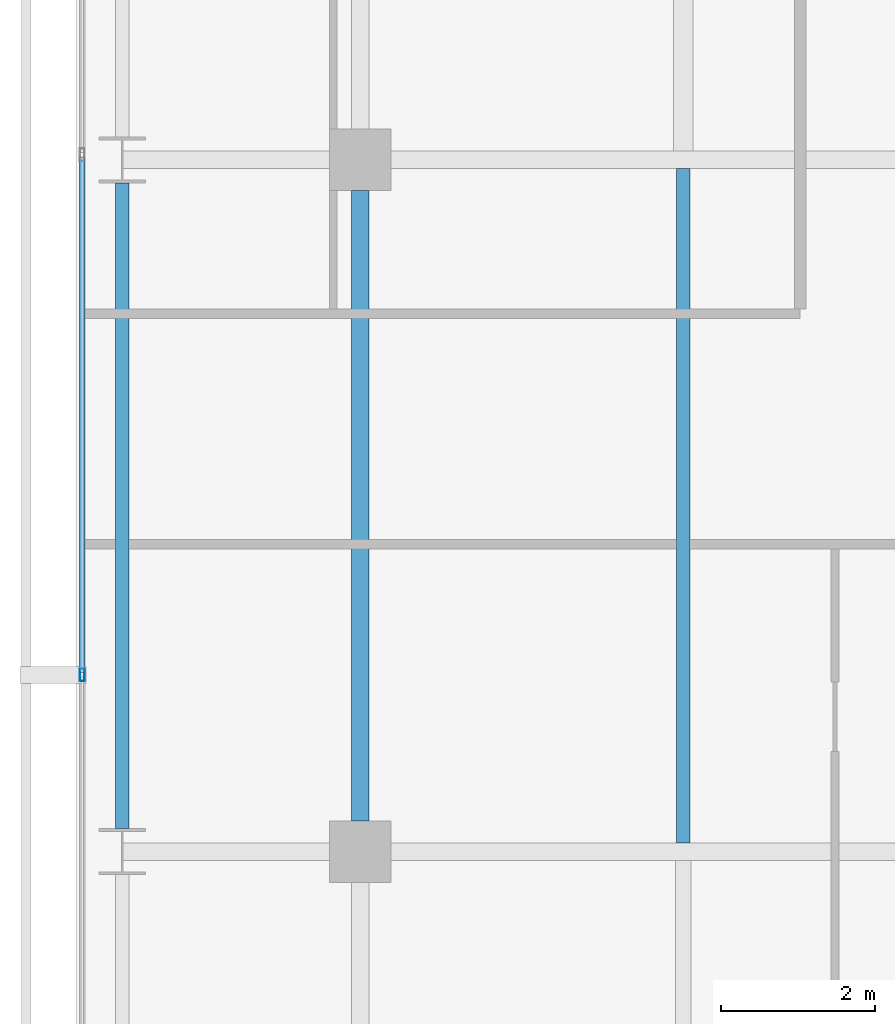
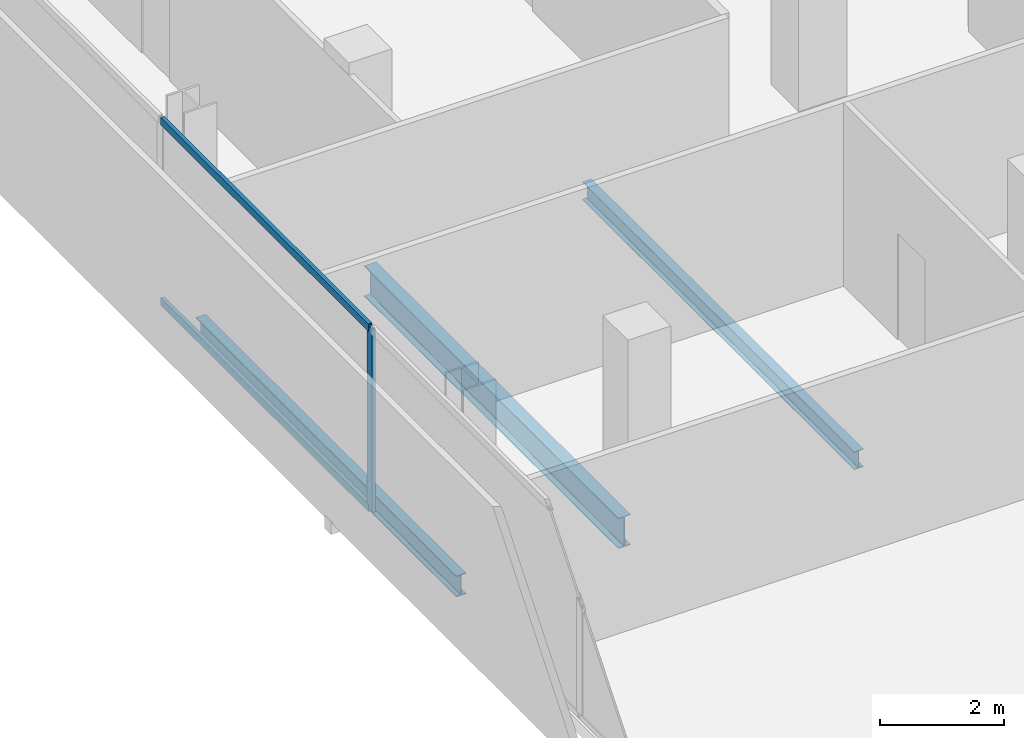
# One storey, part 10 of 32: 3 beams, 3 members, 1 element without a shape of its own.
"""IFC4 building model written with IfcOpenShell, lengths in metres."""

from ifc_helpers import new_model, si_unit, direction, frame, origin, origin_2d, place, context, subcontext, project, spatial, hollow_rectangle, i_section, extrude, material, layer, layer_set, material_profile, profile_set, type_object, element, aggregate, save


model = new_model("IFC4")

# Units and contexts
model_context = context("Model", 3, precision=1e-05, world=origin(), true_north=direction((0.0, 1.0)))
body_context = subcontext(model_context, "Body", "Model", "MODEL_VIEW")
ifc_project = project(units=[si_unit("LENGTHUNIT", "METRE"), si_unit("AREAUNIT", "SQUARE_METRE"), si_unit("VOLUMEUNIT", "CUBIC_METRE"), si_unit("PLANEANGLEUNIT", "RADIAN"), si_unit("MASSUNIT", "GRAM", prefix="KILO")], contexts=[model_context])

# Site, building, storey
site_placement = place(None, origin())
site = spatial("IfcSite", under=ifc_project, at=site_placement, CompositionType="ELEMENT")
building_placement = place(site_placement, origin())
building = spatial("IfcBuilding", under=site, at=building_placement, Name="Maruvema Waterfront Hotel and Observation Tower", CompositionType="ELEMENT")
storey_placement = place(building_placement, frame((0.0, 0.0, 162.050048828125)))
storey = spatial("IfcBuildingStorey", under=building, at=storey_placement, Name="L39", CompositionType="ELEMENT", Elevation=162.050048828125)

# Curtain wall, members
ifc_material_1 = material(Name="Anodised bronze aluminium and solar-control low-E IGU", Category="aluminium")
ifc_layer = layer(ifc_material_1, 0.159912109375, Name="Zone 2 Amber Inner Thermal Curtain Wall System CW-03")
ifc_layer_set = layer_set([ifc_layer], Name="Anodised bronze aluminium and solar-control low-E IGU")
curtain_wall_type = type_object("IfcCurtainWallType", Name="Zone 2 Amber Inner Thermal Curtain Wall System CW-03", PredefinedType="USERDEFINED", material=ifc_layer_set)
curtain_wall_placement = place(storey_placement, origin())
curtain_wall = element("IfcCurtainWall", 1, at=curtain_wall_placement, inside=storey, type_object=curtain_wall_type, Name="L39 Curtain Wall CW-L39-W", ObjectType="UNITISED CURTAIN WALL", PredefinedType="USERDEFINED")
ifc_material_2 = material(Name="Anodised architectural bronze aluminium", Category="aluminium")
ifc_material_profile_1 = material_profile(ifc_material_2, hollow_rectangle(XDim=0.070068359375, YDim=0.14990234375, WallThickness=0.00390625, at=origin_2d()), Name="ALU-T70x150")
ifc_profile_set_1 = profile_set([ifc_material_profile_1], Name="Anodised architectural bronze aluminium")
member_type_1 = type_object("IfcMemberType", Name="Curtain Wall Horizontal Transom ALU-T70x150", PredefinedType="USERDEFINED", material=ifc_profile_set_1)
member_1_placement = place(storey_placement, frame((13.179931640625, 36.03662109375, 0.030029296875), z_axis=(0.0, -1.0, 0.0), x_axis=(1.0, 0.0, 0.0)))
member_1 = element("IfcMember", 2, at=member_1_placement, type_object=member_type_1, Name="CW-03 transom 3.1", ObjectType="TRANSOM", PredefinedType="USERDEFINED", context=body_context, shape_type="SweptSolid", body=[
    extrude(hollow_rectangle(XDim=0.070068359375, YDim=0.14990234375, WallThickness=0.00390625, at=origin_2d()), origin(), (0.0, 0.0, 1.0), 6.70654296875),
])
member_2_placement = place(storey_placement, frame((13.179931640625, 36.03662109375, 3.579833984375), z_axis=(0.0, -1.0, 0.0), x_axis=(1.0, 0.0, 0.0)))
member_2 = element("IfcMember", 3, at=member_2_placement, type_object=member_type_1, Name="CW-03 transom 3.2", ObjectType="TRANSOM", PredefinedType="USERDEFINED", context=body_context, shape_type="SweptSolid", body=[
    extrude(hollow_rectangle(XDim=0.070068359375, YDim=0.14990234375, WallThickness=0.00390625, at=origin_2d()), origin(), (0.0, 0.0, 1.0), 6.70654296875),
])
ifc_material_3 = material(Name="Anodised architectural bronze aluminium", Category="aluminium")
ifc_material_profile_2 = material_profile(ifc_material_3, hollow_rectangle(XDim=0.06494140625, YDim=0.1650390625, WallThickness=0.00390625, at=origin_2d()), Name="ALU-M65x165")
ifc_profile_set_2 = profile_set([ifc_material_profile_2], Name="Anodised architectural bronze aluminium")
member_type_2 = type_object("IfcMemberType", Name="Curtain Wall Primary Mullion ALU-M65x165", PredefinedType="MULLION", material=ifc_profile_set_2)
member_3_placement = place(storey_placement, frame((13.179931640625, 29.300048828125, 0.0), z_axis=(0.0, 0.0, 1.0), x_axis=(1.0, 0.0, 0.0)))
member_3 = element("IfcMember", 4, at=member_3_placement, type_object=member_type_2, Name="CW-03 mullion 4", PredefinedType="MULLION", context=body_context, shape_type="SweptSolid", body=[
    extrude(hollow_rectangle(XDim=0.06494140625, YDim=0.1650390625, WallThickness=0.00390625, at=origin_2d()), origin(), (0.0, 0.0, 1.0), 3.60986328125),
])
aggregate(curtain_wall, [member_3, member_1, member_2])

# Beams
ifc_material_4 = material(Name="Steel ASTM A572 Grade 50", Category="steel")
ifc_material_profile_3 = material_profile(ifc_material_4, i_section(OverallWidth=0.180908203125, OverallDepth=0.4169921875, WebThickness=0.010986328125, FlangeThickness=0.018310546875, FilletRadius=0.014892578125, at=origin_2d()), Name="W410x85.0")
ifc_profile_set_3 = profile_set([ifc_material_profile_3], Name="Steel ASTM A572 Grade 50")
beam_type_1 = type_object("IfcBeamType", Name="Perimeter Spandrel Beam W410x85.0", PredefinedType="SPANDREL", material=ifc_profile_set_3)
beam_1_placement = place(storey_placement, frame((13.699951171875, 27.300048828125, -0.448486328125), z_axis=(0.0, 1.0, 0.0), x_axis=(-1.0, 0.0, 0.0)))
element("IfcBeam", 5, at=beam_1_placement, inside=storey, type_object=beam_type_1, Name="L39 Floor Girder NS-03", PredefinedType="SPANDREL", context=body_context, shape_type="SweptSolid", body=[
    extrude(i_section(OverallWidth=0.180908203125, OverallDepth=0.4169921875, WebThickness=0.010986328125, FlangeThickness=0.018310546875, FilletRadius=0.014892578125, at=origin_2d()), origin(), (0.0, 0.0, 1.0), 8.39990234375),
])
ifc_material_5 = material(Name="Steel ASTM A572 Grade 50", Category="steel")
ifc_material_profile_4 = material_profile(ifc_material_5, i_section(OverallWidth=0.22802734375, OverallDepth=0.60302734375, WebThickness=0.010498046875, FlangeThickness=0.014892578125, FilletRadius=0.01806640625, at=origin_2d()), Name="W610x101.0")
ifc_profile_set_4 = profile_set([ifc_material_profile_4], Name="Steel ASTM A572 Grade 50")
beam_type_2 = type_object("IfcBeamType", Name="Primary Floor Girder W610x101.0", PredefinedType="BEAM", material=ifc_profile_set_4)
beam_2_placement = place(storey_placement, frame((16.800048828125, 27.39990234375, -0.54150390625), z_axis=(0.0, 1.0, 0.0), x_axis=(-1.0, 0.0, 0.0)))
element("IfcBeam", 6, at=beam_2_placement, inside=storey, type_object=beam_type_2, Name="L39 Floor Girder NS-07", PredefinedType="BEAM", context=body_context, shape_type="SweptSolid", body=[
    extrude(i_section(OverallWidth=0.22802734375, OverallDepth=0.60302734375, WebThickness=0.010498046875, FlangeThickness=0.014892578125, FilletRadius=0.01806640625, at=origin_2d()), origin(), (0.0, 0.0, 1.0), 8.2001953125),
])
ifc_material_6 = material(Name="Steel ASTM A572 Grade 50", Category="steel")
ifc_material_profile_5 = material_profile(ifc_material_6, i_section(OverallWidth=0.1708984375, OverallDepth=0.35498046875, WebThickness=0.007080078125, FlangeThickness=0.01171875, FilletRadius=0.014892578125, at=origin_2d()), Name="W360x51.0")
ifc_profile_set_5 = profile_set([ifc_material_profile_5], Name="Steel ASTM A572 Grade 50")
beam_type_3 = type_object("IfcBeamType", Name="Secondary Floor Joist W360x51.0", PredefinedType="JOIST", material=ifc_profile_set_5)
beam_3_placement = place(storey_placement, frame((21.0, 27.114013671875, -0.41748046875), z_axis=(0.0, 1.0, 0.0), x_axis=(-1.0, 0.0, 0.0)))
element("IfcBeam", 7, at=beam_3_placement, inside=storey, type_object=beam_type_3, Name="L39 Secondary Floor Joist JS-03", PredefinedType="JOIST", context=body_context, shape_type="SweptSolid", body=[
    extrude(i_section(OverallWidth=0.1708984375, OverallDepth=0.35498046875, WebThickness=0.007080078125, FlangeThickness=0.01171875, FilletRadius=0.014892578125, at=origin_2d()), origin(), (0.0, 0.0, 1.0), 8.77197265625),
])

save(model, "model.ifc")
